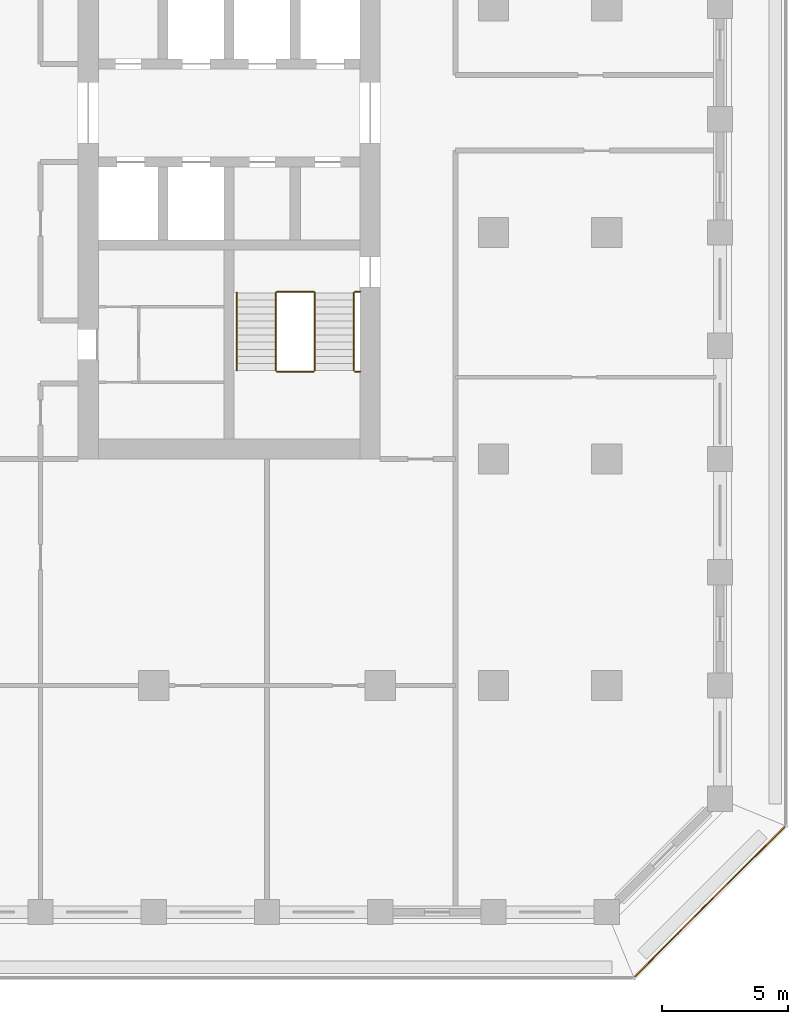
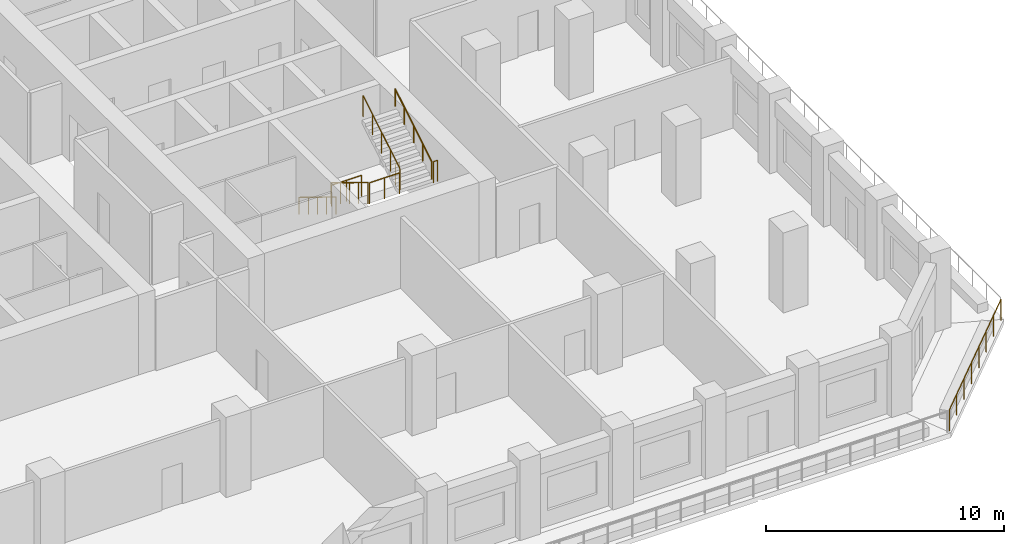
# One storey, part 11 of 16: 9 railings.
"""IFC4 building model written with IfcOpenShell, lengths in metres."""

from ifc_helpers import new_model, si_unit, direction, frame, origin, origin_2d, place, context, subcontext, project, spatial, circle, extrude, material, type_object, element, save


model = new_model("IFC4")

# Units and contexts
model_context = context("Model", 3, precision=1e-05, world=origin(), true_north=direction((0.0, 1.0)))
body_context = subcontext(model_context, "Body", "Model", "MODEL_VIEW")
ifc_project = project(units=[si_unit("LENGTHUNIT", "METRE"), si_unit("AREAUNIT", "SQUARE_METRE"), si_unit("VOLUMEUNIT", "CUBIC_METRE"), si_unit("PLANEANGLEUNIT", "RADIAN"), si_unit("MASSUNIT", "GRAM", prefix="KILO")], contexts=[model_context])

# Site, building, storey
site_placement = place(None, origin())
site = spatial("IfcSite", under=ifc_project, at=site_placement, CompositionType="ELEMENT")
building_placement = place(site_placement, origin())
building = spatial("IfcBuilding", under=site, at=building_placement, Name="Corbel Stack Research Tower", CompositionType="ELEMENT")
storey_placement = place(building_placement, frame((0.0, 0.0, 195.60009765625)))
storey = spatial("IfcBuildingStorey", under=building, at=storey_placement, Name="L44", CompositionType="ELEMENT", Elevation=195.60009765625)

# Railings
ifc_material_1 = material(Name="Steel S355", Category="steel")
railing_type_1 = type_object("IfcRailingType", Name="Stair guard 1100", PredefinedType="GUARDRAIL", material=ifc_material_1)
railing_1_placement = place(storey_placement, frame((13.85009765625, -2.39990234375, 0.170654296875)))
element("IfcRailing", 1, at=railing_1_placement, inside=storey, type_object=railing_type_1, Name="L44 ST-E1 stair guard 1", PredefinedType="GUARDRAIL", context=body_context, shape_type="SweptSolid", body=[
    extrude(circle(Radius=0.02392578125, at=origin_2d()), frame((0.0, 0.0, 1.076171875), z_axis=(0.0, -0.853666305674, 0.52082035152), x_axis=(1.0, 0.0, 0.0)), (0.0, 0.0, 1.0), 3.608154296875),
    extrude(circle(Radius=0.02099609375, at=origin_2d()), origin(), (0.0, 0.0, 1.0), 1.052001953125),
    extrude(circle(Radius=0.02099609375, at=origin_2d()), frame((0.0, -0.77001953125, 0.4697265625)), (0.0, 0.0, 1.0), 1.052001953125),
    extrude(circle(Radius=0.02099609375, at=origin_2d()), frame((0.0, -1.5400390625, 0.939453125)), (0.0, 0.0, 1.0), 1.052001953125),
    extrude(circle(Radius=0.02099609375, at=origin_2d()), frame((0.0, -2.31005859375, 1.409423828125)), (0.0, 0.0, 1.0), 1.052001953125),
    extrude(circle(Radius=0.02099609375, at=origin_2d()), frame((0.0, -3.080078125, 1.879150390625)), (0.0, 0.0, 1.0), 1.052001953125),
])
railing_2_placement = place(storey_placement, frame((13.89990234375, -5.530029296875, 2.0498046875)))
element("IfcRailing", 2, at=railing_2_placement, inside=storey, type_object=railing_type_1, Name="L44 ST-E1 stair guard 2", PredefinedType="GUARDRAIL", context=body_context, shape_type="SweptSolid", body=[
    extrude(circle(Radius=0.02392578125, at=origin_2d()), frame((0.0, 0.0, 1.076171875), z_axis=(1.0, 0.0, 0.0), x_axis=(0.0, 1.0, 0.0)), (0.0, 0.0, 1.0), 1.4501953125),
    extrude(circle(Radius=0.02099609375, at=origin_2d()), origin(), (0.0, 0.0, 1.0), 1.052001953125),
    extrude(circle(Radius=0.02099609375, at=origin_2d()), frame((0.72509765625, 0.0, 0.0)), (0.0, 0.0, 1.0), 1.052001953125),
    extrude(circle(Radius=0.02099609375, at=origin_2d()), frame((1.4501953125, 0.0, 0.0)), (0.0, 0.0, 1.0), 1.052001953125),
])
railing_3_placement = place(storey_placement, frame((17.0, -5.530029296875, 2.0498046875)))
element("IfcRailing", 3, at=railing_3_placement, inside=storey, type_object=railing_type_1, Name="L44 ST-E1 stair guard 3", PredefinedType="GUARDRAIL", context=body_context, shape_type="SweptSolid", body=[
    extrude(circle(Radius=0.02392578125, at=origin_2d()), frame((0.0, 0.0, 1.076171875), z_axis=(1.0, 0.0, 0.0), x_axis=(0.0, 1.0, 0.0)), (0.0, 0.0, 1.0), 0.199951171875),
    extrude(circle(Radius=0.02099609375, at=origin_2d()), origin(), (0.0, 0.0, 1.0), 1.052001953125),
    extrude(circle(Radius=0.02099609375, at=origin_2d()), frame((0.199951171875, 0.0, 0.0)), (0.0, 0.0, 1.0), 1.052001953125),
])
railing_4_placement = place(storey_placement, frame((15.39990234375, -5.47998046875, 2.220703125)))
element("IfcRailing", 4, at=railing_4_placement, inside=storey, type_object=railing_type_1, Name="L44 ST-E1 stair guard 4", PredefinedType="GUARDRAIL", context=body_context, shape_type="SweptSolid", body=[
    extrude(circle(Radius=0.02392578125, at=origin_2d()), frame((0.0, 0.0, 1.076171875), z_axis=(0.0, 0.853666305674, 0.52082035152), x_axis=(-1.0, 0.0, 0.0)), (0.0, 0.0, 1.0), 3.608154296875),
    extrude(circle(Radius=0.02099609375, at=origin_2d()), origin(), (0.0, 0.0, 1.0), 1.052001953125),
    extrude(circle(Radius=0.02099609375, at=origin_2d()), frame((0.0, 0.77001953125, 0.4697265625)), (0.0, 0.0, 1.0), 1.052001953125),
    extrude(circle(Radius=0.02099609375, at=origin_2d()), frame((0.0, 1.5400390625, 0.939453125)), (0.0, 0.0, 1.0), 1.052001953125),
    extrude(circle(Radius=0.02099609375, at=origin_2d()), frame((0.0, 2.31005859375, 1.409423828125)), (0.0, 0.0, 1.0), 1.052001953125),
    extrude(circle(Radius=0.02099609375, at=origin_2d()), frame((0.0, 3.080078125, 1.879150390625)), (0.0, 0.0, 1.0), 1.052001953125),
])
railing_5_placement = place(storey_placement, frame((13.89990234375, -2.35009765625, 0.0)))
element("IfcRailing", 5, at=railing_5_placement, inside=storey, type_object=railing_type_1, Name="L44 ST-E1 stair guard 5", PredefinedType="GUARDRAIL", context=body_context, shape_type="SweptSolid", body=[
    extrude(circle(Radius=0.02392578125, at=origin_2d()), frame((0.0, 0.0, 1.076171875), z_axis=(1.0, 0.0, 0.0), x_axis=(0.0, 1.0, 0.0)), (0.0, 0.0, 1.0), 1.4501953125),
    extrude(circle(Radius=0.02099609375, at=origin_2d()), origin(), (0.0, 0.0, 1.0), 1.052001953125),
    extrude(circle(Radius=0.02099609375, at=origin_2d()), frame((0.72509765625, 0.0, 0.0)), (0.0, 0.0, 1.0), 1.052001953125),
    extrude(circle(Radius=0.02099609375, at=origin_2d()), frame((1.4501953125, 0.0, 0.0)), (0.0, 0.0, 1.0), 1.052001953125),
])
railing_6_placement = place(storey_placement, frame((17.0, -2.35009765625, 0.0)))
element("IfcRailing", 6, at=railing_6_placement, inside=storey, type_object=railing_type_1, Name="L44 ST-E1 stair guard 6", PredefinedType="GUARDRAIL", context=body_context, shape_type="SweptSolid", body=[
    extrude(circle(Radius=0.02392578125, at=origin_2d()), frame((0.0, 0.0, 1.076171875), z_axis=(1.0, 0.0, 0.0), x_axis=(0.0, 1.0, 0.0)), (0.0, 0.0, 1.0), 0.199951171875),
    extrude(circle(Radius=0.02099609375, at=origin_2d()), origin(), (0.0, 0.0, 1.0), 1.052001953125),
    extrude(circle(Radius=0.02099609375, at=origin_2d()), frame((0.199951171875, 0.0, 0.0)), (0.0, 0.0, 1.0), 1.052001953125),
])
ifc_material_2 = material(Name="Steel S355", Category="steel")
railing_type_2 = type_object("IfcRailingType", Name="Stair handrail 900", PredefinedType="HANDRAIL", material=ifc_material_2)
railing_7_placement = place(storey_placement, frame((12.300048828125, -2.39990234375, 0.170654296875)))
element("IfcRailing", 7, at=railing_7_placement, inside=storey, type_object=railing_type_2, Name="L44 ST-E1 stair handrail 1", PredefinedType="HANDRAIL", context=body_context, shape_type="SweptSolid", body=[
    extrude(circle(Radius=0.02392578125, at=origin_2d()), frame((0.0, 0.0, 0.8759765625), z_axis=(0.0, -0.853666305674, 0.52082035152), x_axis=(1.0, 0.0, 0.0)), (0.0, 0.0, 1.0), 3.608154296875),
    extrude(circle(Radius=0.02099609375, at=origin_2d()), origin(), (0.0, 0.0, 1.0), 0.851806640625),
    extrude(circle(Radius=0.02099609375, at=origin_2d()), frame((0.0, -0.77001953125, 0.4697265625)), (0.0, 0.0, 1.0), 0.851806640625),
    extrude(circle(Radius=0.02099609375, at=origin_2d()), frame((0.0, -1.5400390625, 0.939453125)), (0.0, 0.0, 1.0), 0.851806640625),
    extrude(circle(Radius=0.02099609375, at=origin_2d()), frame((0.0, -2.31005859375, 1.409423828125)), (0.0, 0.0, 1.0), 0.851806640625),
    extrude(circle(Radius=0.02099609375, at=origin_2d()), frame((0.0, -3.080078125, 1.879150390625)), (0.0, 0.0, 1.0), 0.851806640625),
])
railing_8_placement = place(storey_placement, frame((16.949951171875, -5.47998046875, 2.220703125)))
element("IfcRailing", 8, at=railing_8_placement, inside=storey, type_object=railing_type_2, Name="L44 ST-E1 stair handrail 2", PredefinedType="HANDRAIL", context=body_context, shape_type="SweptSolid", body=[
    extrude(circle(Radius=0.02392578125, at=origin_2d()), frame((0.0, 0.0, 0.8759765625), z_axis=(0.0, 0.853666305674, 0.52082035152), x_axis=(-1.0, 0.0, 0.0)), (0.0, 0.0, 1.0), 3.608154296875),
    extrude(circle(Radius=0.02099609375, at=origin_2d()), origin(), (0.0, 0.0, 1.0), 0.851806640625),
    extrude(circle(Radius=0.02099609375, at=origin_2d()), frame((0.0, 0.77001953125, 0.4697265625)), (0.0, 0.0, 1.0), 0.851806640625),
    extrude(circle(Radius=0.02099609375, at=origin_2d()), frame((0.0, 1.5400390625, 0.939453125)), (0.0, 0.0, 1.0), 0.851806640625),
    extrude(circle(Radius=0.02099609375, at=origin_2d()), frame((0.0, 2.31005859375, 1.409423828125)), (0.0, 0.0, 1.0), 0.851806640625),
    extrude(circle(Radius=0.02099609375, at=origin_2d()), frame((0.0, 3.080078125, 1.879150390625)), (0.0, 0.0, 1.0), 0.851806640625),
])
ifc_material_3 = material(Name="Powder-coated steel guard", Category="steel")
railing_type_3 = type_object("IfcRailingType", Name="Steel and glass guard 1100", PredefinedType="GUARDRAIL", material=ifc_material_3)
railing_9_placement = place(storey_placement, frame((28.127685546875, -29.54931640625, 0.0)))
element("IfcRailing", 9, at=railing_9_placement, inside=storey, type_object=railing_type_3, Name="Loggia guard L44 SE", PredefinedType="GUARDRAIL", context=body_context, shape_type="SweptSolid", body=[
    extrude(circle(Radius=0.02392578125, at=origin_2d()), frame((0.0, 0.0, 1.076171875), z_axis=(0.707106781187, 0.707106781187, 0.0), x_axis=(-0.707106781187, 0.707106781187, 0.0)), (0.0, 0.0, 1.0), 8.37451171875),
    extrude(circle(Radius=0.02099609375, at=origin_2d()), origin(), (0.0, 0.0, 1.0), 1.052001953125),
    extrude(circle(Radius=0.02099609375, at=origin_2d()), frame((0.845947265625, 0.845947265625, 0.0)), (0.0, 0.0, 1.0), 1.052001953125),
    extrude(circle(Radius=0.02099609375, at=origin_2d()), frame((1.69189453125, 1.69189453125, 0.0)), (0.0, 0.0, 1.0), 1.052001953125),
    extrude(circle(Radius=0.02099609375, at=origin_2d()), frame((2.537841796875, 2.537841796875, 0.0)), (0.0, 0.0, 1.0), 1.052001953125),
    extrude(circle(Radius=0.02099609375, at=origin_2d()), frame((3.3837890625, 3.3837890625, 0.0)), (0.0, 0.0, 1.0), 1.052001953125),
    extrude(circle(Radius=0.02099609375, at=origin_2d()), frame((4.229736328125, 4.229736328125, 0.0)), (0.0, 0.0, 1.0), 1.052001953125),
    extrude(circle(Radius=0.02099609375, at=origin_2d()), frame((5.07568359375, 5.07568359375, 0.0)), (0.0, 0.0, 1.0), 1.052001953125),
    extrude(circle(Radius=0.02099609375, at=origin_2d()), frame((5.921630859375, 5.921630859375, 0.0)), (0.0, 0.0, 1.0), 1.052001953125),
])

save(model, "model.ifc")
